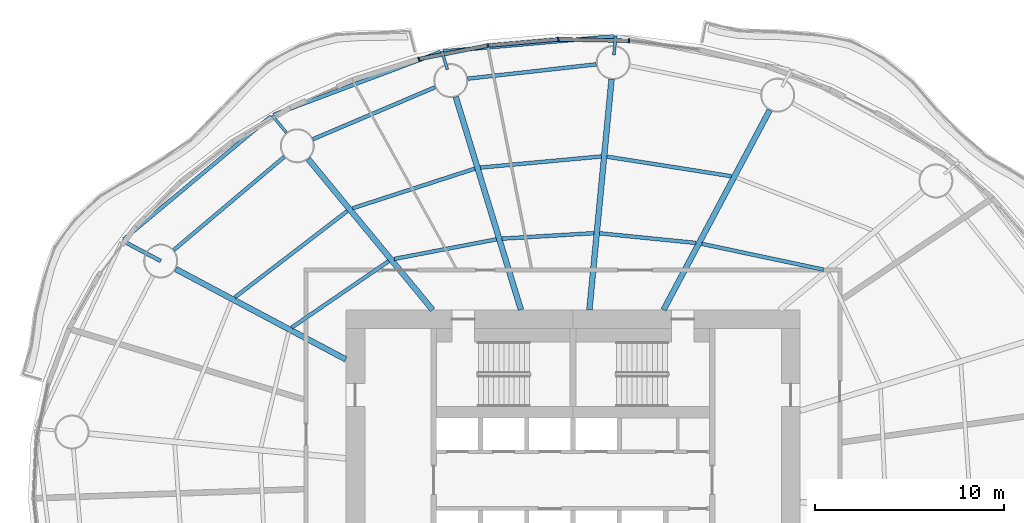
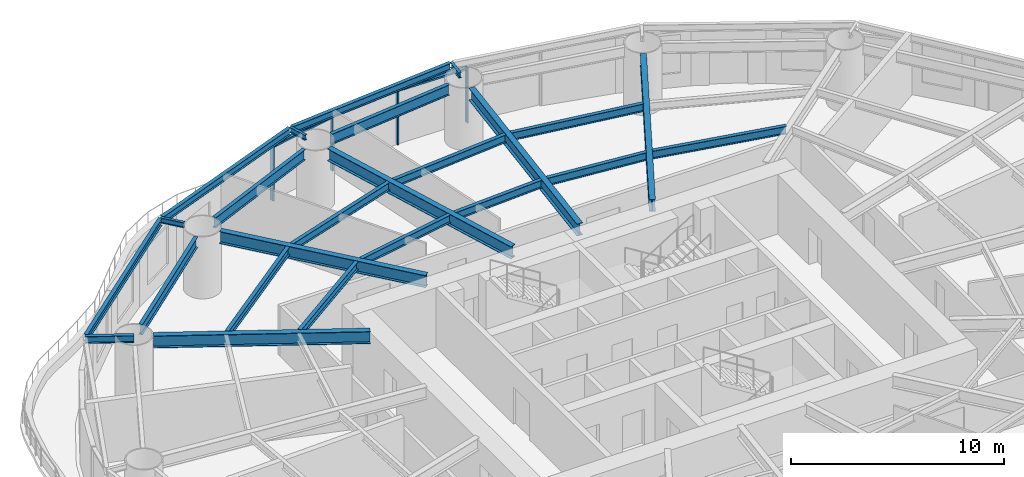
# One storey, part 5 of 16: 24 beams, 7 members, 3 elements without a shape of their own.
"""IFC4 building model written with IfcOpenShell, lengths in metres."""

import ifcopenshell
import ifcopenshell.guid

model = None  # the IFC model being written
_history = None  # IfcOwnerHistory: only IFC2X3 demands one
_inside = {}  # id of a spatial element -> (the spatial element, [elements in it])
_under = {}  # id of a project, library or spatial element -> (it, [spatial elements below it])
_declared = {}  # id of a project -> (the project, [libraries it declares])
_typed = {}  # id of a type object -> (the type object, [elements of that type])
_made_of = {}  # id of a material, layer set ... -> (it, [elements and type objects made of it])


def new_model(schema):
    """Start an empty IFC model of exactly this schema.

    Asked for "IFC4X3", IfcOpenShell would pick the latest addendum, in which some entities
    have other attributes; the version numbers below select the first issue.
    IFC2X3 requires an IfcOwnerHistory on every rooted entity: one is made here for all.
    """
    global model, _history
    if schema == "IFC4X3":
        model = ifcopenshell.file(schema_version=(4, 3, 0, 0))
    else:
        model = ifcopenshell.file(schema=schema)
    _inside.clear()
    _under.clear()
    _declared.clear()
    _typed.clear()
    _made_of.clear()
    _history = None
    if model.schema == "IFC2X3":
        org = make("IfcOrganization", Name="unknown")
        user = make(
            "IfcPersonAndOrganization",
            ThePerson=make("IfcPerson", FamilyName="unknown"),
            TheOrganization=org,
        )
        app = make(
            "IfcApplication",
            ApplicationDeveloper=org,
            Version="unknown",
            ApplicationFullName="unknown",
            ApplicationIdentifier="unknown",
        )
        _history = make(
            "IfcOwnerHistory",
            OwningUser=user,
            OwningApplication=app,
            ChangeAction="ADDED",
            CreationDate=0,
        )
    return model


def make(cls, **values):
    """One entity of the class cls with the attributes given. An attribute that is None is left unset."""
    return model.create_entity(
        cls, **{name: value for name, value in values.items() if value is not None}
    )


def rooted(cls, **values):
    """An entity with a GlobalId (a new one), such as an element, a storey or a relation."""
    return make(cls, GlobalId=ifcopenshell.guid.new(), OwnerHistory=_history, **values)


def si_unit(unit_type, name, prefix=None):
    """IfcSIUnit, for example si_unit("LENGTHUNIT", "METRE", prefix="MILLI")."""
    return make("IfcSIUnit", UnitType=unit_type, Prefix=prefix, Name=name)


def assignment(units):
    """IfcUnitAssignment: the units of a project."""
    return None if units is None else make("IfcUnitAssignment", Units=units)


def point(xyz):
    """IfcCartesianPoint."""
    return None if xyz is None else make("IfcCartesianPoint", Coordinates=xyz)


def direction(xyz):
    """IfcDirection."""
    return None if xyz is None else make("IfcDirection", DirectionRatios=xyz)


def frame(location, z_axis=None, x_axis=None):
    """IfcAxis2Placement3D, a coordinate frame: its origin and axes. An axis left out is left unset."""
    return make(
        "IfcAxis2Placement3D",
        Location=point(location),
        Axis=direction(z_axis),
        RefDirection=direction(x_axis),
    )


def frame_2d(location, x_axis=None):
    """IfcAxis2Placement2D, a coordinate frame in the plane: its origin and x axis."""
    return make(
        "IfcAxis2Placement2D", Location=point(location), RefDirection=direction(x_axis)
    )


def origin():
    """The frame at (0, 0, 0) with its axes left unset."""
    return frame((0.0, 0.0, 0.0))


def origin_2d():
    """The frame at (0, 0) in the plane with its x axis left unset."""
    return frame_2d((0.0, 0.0))


def place(relative_to, where):
    """IfcLocalPlacement: puts the frame where relative to a parent placement (None: the world)."""
    return make(
        "IfcLocalPlacement", PlacementRelTo=relative_to, RelativePlacement=where
    )


def context(
    kind, dimensions, precision=None, world=None, true_north=None, identifier=None
):
    """IfcGeometricRepresentationContext, for example the 3D "Model" context."""
    return make(
        "IfcGeometricRepresentationContext",
        ContextIdentifier=identifier,
        ContextType=kind,
        CoordinateSpaceDimension=dimensions,
        Precision=precision,
        WorldCoordinateSystem=world,
        TrueNorth=true_north,
    )


def subcontext(parent, identifier, kind, view, scale=None):
    """IfcGeometricRepresentationSubContext, for example "Body" below "Model"."""
    return make(
        "IfcGeometricRepresentationSubContext",
        ContextIdentifier=identifier,
        ContextType=kind,
        ParentContext=parent,
        TargetScale=scale,
        TargetView=view,
    )


def project(units=None, contexts=None):
    """IfcProject with its units and contexts."""
    return rooted(
        "IfcProject",
        Name="project",
        RepresentationContexts=contexts,
        UnitsInContext=assignment(units),
    )


def spatial(cls, under=None, at=None, **own):
    """A site, building, storey or space (cls), placed at a placement, below another one or the project."""
    s = rooted(cls, ObjectPlacement=at, **own)
    if under is not None:
        _under.setdefault(under.id(), (under, []))[1].append(s)
    return s


def profile(cls, at=None, kind="AREA", **sizes):
    """A parametric profile (cls). Its sizes go by their IFC names, for example OverallWidth=200.0."""
    return make(cls, ProfileType=kind, Position=at, **sizes)


def rectangle(**sizes):
    """IfcRectangleProfileDef."""
    return profile("IfcRectangleProfileDef", **sizes)


def i_section(**sizes):
    """IfcIShapeProfileDef."""
    return profile("IfcIShapeProfileDef", **sizes)


def extrude(swept, where, along, depth):
    """IfcExtrudedAreaSolid: the profile swept, set in the frame where, extruded along a direction by depth."""
    return make(
        "IfcExtrudedAreaSolid",
        SweptArea=swept,
        Position=where,
        ExtrudedDirection=direction(along),
        Depth=depth,
    )


def shape(context_of_items, identifier, shape_type, items):
    """IfcShapeRepresentation: the items that make up one representation, for example the "Body"."""
    return make(
        "IfcShapeRepresentation",
        ContextOfItems=context_of_items,
        RepresentationIdentifier=identifier,
        RepresentationType=shape_type,
        Items=items,
    )


def material(Name=None, Category=None):
    """IfcMaterial."""
    return make("IfcMaterial", Name=Name, Category=Category)


def material_profile(
    of_material, cross_section, Name=None, Category=None, Priority=None
):
    """IfcMaterialProfile: a cross section and its material."""
    return make(
        "IfcMaterialProfile",
        Name=Name,
        Material=of_material,
        Profile=cross_section,
        Priority=Priority,
        Category=Category,
    )


def profile_set(profiles, Name=None, composite=None):
    """IfcMaterialProfileSet."""
    return make(
        "IfcMaterialProfileSet",
        Name=Name,
        MaterialProfiles=profiles,
        CompositeProfile=composite,
    )


def made_of(thing, what):
    """Note that an element or type object is made of a material, layer set ...; save() writes the relation."""
    if what is not None:
        _made_of.setdefault(what.id(), (what, []))[1].append(thing)
    return thing


def type_object(cls, material=None, **own):
    """A type object (cls), such as IfcWallType, which elements share."""
    return made_of(rooted(cls, **own), material)


def element(
    cls,
    number,
    at=None,
    inside=None,
    cuts=None,
    type_object=None,
    material=None,
    context=None,
    identifier="Body",
    shape_type=None,
    held_by="IfcProductDefinitionShape",
    body=None,
    shapes=None,
    **own,
):
    """One element of the class cls, such as IfcWall. Its Tag is "e" and its number.

    at: its placement. inside: the storey or other place that contains it. cuts: it is an
    opening in that element (IfcRelVoidsElement). A single representation is given by context,
    identifier, shape_type and body (its items); several are given by shapes. held_by: the class
    of the entity that holds the representations. save() writes the other relations.
    """
    e = rooted(cls, Tag="e%d" % number, ObjectPlacement=at, **own)
    if body is not None:
        shapes = [shape(context, identifier, shape_type, body)]
    if shapes is not None:
        e.Representation = make(held_by, Representations=shapes)
    if inside is not None:
        _inside.setdefault(inside.id(), (inside, []))[1].append(e)
    if cuts is not None:
        rooted(
            "IfcRelVoidsElement", RelatingBuildingElement=cuts, RelatedOpeningElement=e
        )
    if type_object is not None:
        _typed.setdefault(type_object.id(), (type_object, []))[1].append(e)
    return made_of(e, material)


def aggregate(whole, parts):
    """IfcRelAggregates: a whole, such as a stair, and the parts it consists of."""
    return rooted("IfcRelAggregates", RelatingObject=whole, RelatedObjects=parts)


def save(model, path):
    """Write the relations noted so far, then the file.

    IfcRelAggregates (storeys below a building ...), IfcRelContainedInSpatialStructure (elements
    in a storey), IfcRelDefinesByType, IfcRelAssociatesMaterial and IfcRelDeclares: one each for
    every whole, place, type object, material and project.
    """
    for whole, parts in _under.values():
        aggregate(whole, parts)
    for where, things in _inside.values():
        rooted(
            "IfcRelContainedInSpatialStructure",
            RelatedElements=things,
            RelatingStructure=where,
        )
    for kind, things in _typed.values():
        rooted("IfcRelDefinesByType", RelatedObjects=things, RelatingType=kind)
    for what, things in _made_of.values():
        rooted("IfcRelAssociatesMaterial", RelatedObjects=things, RelatingMaterial=what)
    for by, libraries in _declared.values():
        rooted("IfcRelDeclares", RelatingContext=by, RelatedDefinitions=libraries)
    model.write(path)


model = new_model("IFC4")

# Units and contexts
model_context = context("Model", 3, precision=1e-05, world=origin(), true_north=direction((0.0, 1.0)))
body_context = subcontext(model_context, "Body", "Model", "MODEL_VIEW")
ifc_project = project(units=[si_unit("LENGTHUNIT", "METRE"), si_unit("AREAUNIT", "SQUARE_METRE"), si_unit("VOLUMEUNIT", "CUBIC_METRE"), si_unit("PLANEANGLEUNIT", "RADIAN"), si_unit("MASSUNIT", "GRAM", prefix="KILO")], contexts=[model_context])

# Site, building, storey
site_placement = place(None, origin())
site = spatial("IfcSite", under=ifc_project, at=site_placement, CompositionType="ELEMENT")
building_placement = place(site_placement, origin())
building = spatial("IfcBuilding", under=site, at=building_placement, Name="Vermilion Reach Broadcast Tower", CompositionType="ELEMENT")
storey_placement = place(building_placement, frame((0.0, 0.0, 43.39990234375)))
storey = spatial("IfcBuildingStorey", under=building, at=storey_placement, Name="L07", CompositionType="ELEMENT", Elevation=43.39990234375)

# Beams
ifc_material_1 = material(Name="Steel S355J2", Category="steel")
ifc_material_profile_1 = material_profile(ifc_material_1, i_section(OverallWidth=0.199951171875, OverallDepth=0.39990234375, WebThickness=0.008056640625, FlangeThickness=0.012939453125, at=origin_2d()), Name="S355J2 HN 400x200x8x13")
ifc_profile_set_1 = profile_set([ifc_material_profile_1], Name="Steel S355J2")
beam_type_1 = type_object("IfcBeamType", Name="EB1 HN 400x200x8x13", PredefinedType="BEAM", material=ifc_profile_set_1)
beam_1_placement = place(storey_placement, frame((-3.82177734375, 23.44775390625, 3.35009765625), z_axis=(-0.996123258069, -0.087968487166, 0.0), x_axis=(0.087968487166, -0.996123258069, 0.0)))
element("IfcBeam", 1, at=beam_1_placement, inside=storey, type_object=beam_type_1, Name="Edge beam EB1-04", PredefinedType="BEAM", context=body_context, shape_type="SweptSolid", body=[
    extrude(i_section(OverallWidth=0.199951171875, OverallDepth=0.39990234375, WebThickness=0.008056640625, FlangeThickness=0.012939453125, at=origin_2d()), origin(), (0.0, 0.0, 1.0), 9.064208984375),
])
beam_2_placement = place(storey_placement, frame((-12.99755859375, 22.6171875, 3.35009765625), z_axis=(-0.935908985591, -0.352241920688, 0.0), x_axis=(0.352241920688, -0.935908985591, 0.0)))
element("IfcBeam", 2, at=beam_2_placement, inside=storey, type_object=beam_type_1, Name="Edge beam EB1-05", PredefinedType="BEAM", context=body_context, shape_type="SweptSolid", body=[
    extrude(i_section(OverallWidth=0.199951171875, OverallDepth=0.39990234375, WebThickness=0.008056640625, FlangeThickness=0.012939453125, at=origin_2d()), origin(), (0.0, 0.0, 1.0), 9.4228515625),
])
beam_3_placement = place(storey_placement, frame((-21.9482421875, 19.221923828125, 3.35009765625), z_axis=(-0.767606961082, -0.640920863523, 0.0), x_axis=(0.640920863523, -0.767606961082, 0.0)))
element("IfcBeam", 3, at=beam_3_placement, inside=storey, type_object=beam_type_1, Name="Edge beam EB1-06", PredefinedType="BEAM", context=body_context, shape_type="SweptSolid", body=[
    extrude(i_section(OverallWidth=0.199951171875, OverallDepth=0.39990234375, WebThickness=0.008056640625, FlangeThickness=0.012939453125, at=origin_2d()), origin(), (0.0, 0.0, 1.0), 10.13671875),
])
ifc_material_2 = material(Name="Steel S355J2", Category="steel")
ifc_material_profile_2 = material_profile(ifc_material_2, i_section(OverallWidth=0.300048828125, OverallDepth=0.699951171875, WebThickness=0.012939453125, FlangeThickness=0.02392578125, at=origin_2d()), Name="S355J2 HN 700x300x13x24")
ifc_profile_set_2 = profile_set([ifc_material_profile_2], Name="Steel S355J2")
beam_type_2 = type_object("IfcBeamType", Name="G1 HN 700x300x13x24", PredefinedType="BEAM", material=ifc_profile_set_2)
beam_4_placement = place(storey_placement, frame((-1.216552734375, 9.0, 3.2001953125), z_axis=(0.469312182262, 0.883032318537, 0.0), x_axis=(-0.883032318537, 0.469312182262, 0.0)))
element("IfcBeam", 4, at=beam_4_placement, inside=storey, type_object=beam_type_2, Name="Girder G1-03", PredefinedType="BEAM", context=body_context, shape_type="SweptSolid", body=[
    extrude(i_section(OverallWidth=0.300048828125, OverallDepth=0.699951171875, WebThickness=0.012939453125, FlangeThickness=0.02392578125, at=origin_2d()), origin(), (0.0, 0.0, 1.0), 11.94091796875),
])
beam_5_placement = place(storey_placement, frame((-5.135009765625, 9.0, 3.2001953125), z_axis=(0.09566673912, 0.995413419151, 0.0), x_axis=(-0.995413419151, 0.09566673912, 0.0)))
element("IfcBeam", 5, at=beam_5_placement, inside=storey, type_object=beam_type_2, Name="Girder G1-04", PredefinedType="BEAM", context=body_context, shape_type="SweptSolid", body=[
    extrude(i_section(OverallWidth=0.300048828125, OverallDepth=0.699951171875, WebThickness=0.012939453125, FlangeThickness=0.02392578125, at=origin_2d()), origin(), (0.0, 0.0, 1.0), 12.22412109375),
])
beam_6_placement = place(storey_placement, frame((-8.753173828125, 9.0, 3.2001953125), z_axis=(-0.292542302886, 0.95625258223, 0.0), x_axis=(-0.95625258223, -0.292542302886, 0.0)))
element("IfcBeam", 6, at=beam_6_placement, inside=storey, type_object=beam_type_2, Name="Girder G1-05", PredefinedType="BEAM", context=body_context, shape_type="SweptSolid", body=[
    extrude(i_section(OverallWidth=0.300048828125, OverallDepth=0.699951171875, WebThickness=0.012939453125, FlangeThickness=0.02392578125, at=origin_2d()), origin(), (0.0, 0.0, 1.0), 11.76220703125),
])
beam_7_placement = place(storey_placement, frame((-13.421630859375, 9.0, 3.2001953125), z_axis=(-0.636215165107, 0.77151167437, 0.0), x_axis=(-0.77151167437, -0.636215165107, 0.0)))
element("IfcBeam", 7, at=beam_7_placement, inside=storey, type_object=beam_type_2, Name="Girder G1-06", PredefinedType="BEAM", context=body_context, shape_type="SweptSolid", body=[
    extrude(i_section(OverallWidth=0.300048828125, OverallDepth=0.699951171875, WebThickness=0.012939453125, FlangeThickness=0.02392578125, at=origin_2d()), origin(), (0.0, 0.0, 1.0), 10.3251953125),
])
beam_8_placement = place(storey_placement, frame((-18.0, 6.3779296875, 3.2001953125), z_axis=(-0.883032139419, 0.469312519279, 0.0), x_axis=(-0.469312519279, -0.883032139419, 0.0)))
element("IfcBeam", 8, at=beam_8_placement, inside=storey, type_object=beam_type_2, Name="Girder G1-07", PredefinedType="BEAM", context=body_context, shape_type="SweptSolid", body=[
    extrude(i_section(OverallWidth=0.300048828125, OverallDepth=0.699951171875, WebThickness=0.012939453125, FlangeThickness=0.02392578125, at=origin_2d()), origin(), (0.0, 0.0, 1.0), 10.17529296875),
])
ifc_material_3 = material(Name="Steel S355J2", Category="steel")
ifc_material_profile_3 = material_profile(ifc_material_3, i_section(OverallWidth=0.199951171875, OverallDepth=0.39990234375, WebThickness=0.008056640625, FlangeThickness=0.012939453125, at=origin_2d()), Name="S355J2 HN 400x200x8x13")
ifc_profile_set_3 = profile_set([ifc_material_profile_3], Name="Steel S355J2")
beam_type_3 = type_object("IfcBeamType", Name="GC1 HN 400x200x8x13", PredefinedType="BEAM", material=ifc_profile_set_3)
beam_9_placement = place(storey_placement, frame((-27.77978515625, 11.57568359375, 3.35009765625), z_axis=(-0.88305665742, 0.469266384676, 0.0), x_axis=(-0.469266384676, -0.88305665742, 0.0)))
element("IfcBeam", 9, at=beam_9_placement, inside=storey, type_object=beam_type_3, Name="Cantilever girder GC1-07", PredefinedType="BEAM", context=body_context, shape_type="SweptSolid", body=[
    extrude(i_section(OverallWidth=0.199951171875, OverallDepth=0.39990234375, WebThickness=0.008056640625, FlangeThickness=0.012939453125, at=origin_2d()), origin(), (0.0, 0.0, 1.0), 2.301513671875),
])
ifc_material_4 = material(Name="Steel S355J2", Category="steel")
ifc_material_profile_4 = material_profile(ifc_material_4, i_section(OverallWidth=0.14990234375, OverallDepth=0.300048828125, WebThickness=0.006591796875, FlangeThickness=0.009033203125, at=origin_2d()), Name="S355J2 HN 300x150x6.5x9")
ifc_profile_set_4 = profile_set([ifc_material_profile_4], Name="Steel S355J2")
beam_type_4 = type_object("IfcBeamType", Name="GS1 HN 300x150x6.5x9", PredefinedType="BEAM", material=ifc_profile_set_4)
beam_10_placement = place(storey_placement, frame((-3.84130859375, 22.458984375, 3.400146484375), z_axis=(0.095707754417, 0.995409476419, 0.0), x_axis=(-0.995409476419, 0.095707754417, 0.0)))
element("IfcBeam", 10, at=beam_10_placement, inside=storey, type_object=beam_type_4, Name="Cantilever stub GS1-04", PredefinedType="BEAM", context=body_context, shape_type="SweptSolid", body=[
    extrude(i_section(OverallWidth=0.14990234375, OverallDepth=0.300048828125, WebThickness=0.006591796875, FlangeThickness=0.009033203125, at=origin_2d()), origin(), (0.0, 0.0, 1.0), 1.0),
])
beam_11_placement = place(storey_placement, frame((-12.634521484375, 21.6875, 3.400146484375), z_axis=(-0.29276438962, 0.956184611971, 0.0), x_axis=(-0.956184611971, -0.29276438962, 0.0)))
element("IfcBeam", 11, at=beam_11_placement, inside=storey, type_object=beam_type_4, Name="Cantilever stub GS1-05", PredefinedType="BEAM", context=body_context, shape_type="SweptSolid", body=[
    extrude(i_section(OverallWidth=0.14990234375, OverallDepth=0.300048828125, WebThickness=0.006591796875, FlangeThickness=0.009033203125, at=origin_2d()), origin(), (0.0, 0.0, 1.0), 0.999755859375),
])
beam_12_placement = place(storey_placement, frame((-21.1357421875, 18.354736328125, 3.400146484375), z_axis=(-0.636269688952, 0.771466708887, 0.0), x_axis=(-0.771466708887, -0.636269688952, 0.0)))
element("IfcBeam", 12, at=beam_12_placement, inside=storey, type_object=beam_type_4, Name="Cantilever stub GS1-06", PredefinedType="BEAM", context=body_context, shape_type="SweptSolid", body=[
    extrude(i_section(OverallWidth=0.14990234375, OverallDepth=0.300048828125, WebThickness=0.006591796875, FlangeThickness=0.009033203125, at=origin_2d()), origin(), (0.0, 0.0, 1.0), 1.1865234375),
])
ifc_material_5 = material(Name="Steel S355J2", Category="steel")
ifc_material_profile_5 = material_profile(ifc_material_5, i_section(OverallWidth=0.199951171875, OverallDepth=0.60009765625, WebThickness=0.010986328125, FlangeThickness=0.01708984375, at=origin_2d()), Name="S355J2 HN 600x200x11x17")
ifc_profile_set_5 = profile_set([ifc_material_profile_5], Name="Steel S355J2")
beam_type_5 = type_object("IfcBeamType", Name="RB1 HN 600x200x11x17", PredefinedType="BEAM", material=ifc_profile_set_5)
beam_13_placement = place(storey_placement, frame((-4.77392578125, 21.964111328125, 3.25), z_axis=(-0.993851439324, -0.110721798009, 0.0), x_axis=(0.110721798009, -0.993851439324, 0.0)))
element("IfcBeam", 13, at=beam_13_placement, inside=storey, type_object=beam_type_5, Name="Ring beam RB1-04", PredefinedType="BEAM", context=body_context, shape_type="SweptSolid", body=[
    extrude(i_section(OverallWidth=0.199951171875, OverallDepth=0.60009765625, WebThickness=0.010986328125, FlangeThickness=0.01708984375, at=origin_2d()), origin(), (0.0, 0.0, 1.0), 6.8310546875),
])
beam_14_placement = place(storey_placement, frame((-13.28564453125, 20.755859375, 3.25), z_axis=(-0.920220846584, -0.391399531825, 0.0), x_axis=(0.391399531825, -0.920220846584, 0.0)))
element("IfcBeam", 14, at=beam_14_placement, inside=storey, type_object=beam_type_5, Name="Ring beam RB1-05", PredefinedType="BEAM", context=body_context, shape_type="SweptSolid", body=[
    extrude(i_section(OverallWidth=0.199951171875, OverallDepth=0.60009765625, WebThickness=0.010986328125, FlangeThickness=0.01708984375, at=origin_2d()), origin(), (0.0, 0.0, 1.0), 7.008544921875),
])
beam_15_placement = place(storey_placement, frame((-21.251220703125, 17.080322265625, 3.25), z_axis=(-0.764512441084, -0.6446089725, 0.0), x_axis=(0.6446089725, -0.764512441084, 0.0)))
element("IfcBeam", 15, at=beam_15_placement, inside=storey, type_object=beam_type_5, Name="Ring beam RB1-06", PredefinedType="BEAM", context=body_context, shape_type="SweptSolid", body=[
    extrude(i_section(OverallWidth=0.199951171875, OverallDepth=0.60009765625, WebThickness=0.010986328125, FlangeThickness=0.01708984375, at=origin_2d()), origin(), (0.0, 0.0, 1.0), 7.6396484375),
])
ifc_material_6 = material(Name="Steel S355J2", Category="steel")
ifc_material_profile_6 = material_profile(ifc_material_6, i_section(OverallWidth=0.199951171875, OverallDepth=0.449951171875, WebThickness=0.009033203125, FlangeThickness=0.013916015625, at=origin_2d()), Name="S355J2 HN 450x200x9x14")
ifc_profile_set_6 = profile_set([ifc_material_profile_6], Name="Steel S355J2")
beam_type_6 = type_object("IfcBeamType", Name="SB1 HN 450x200x9x14", PredefinedType="BEAM", material=ifc_profile_set_6)
beam_16_placement = place(storey_placement, frame((7.24560546875, 11.1171875, 3.3251953125), z_axis=(-0.978270372412, 0.207333254596, 0.0), x_axis=(-0.207333254596, -0.978270372412, 0.0)))
element("IfcBeam", 16, at=beam_16_placement, inside=storey, type_object=beam_type_6, Name="Secondary beam SB1-02-1", PredefinedType="BEAM", context=body_context, shape_type="SweptSolid", body=[
    extrude(i_section(OverallWidth=0.199951171875, OverallDepth=0.449951171875, WebThickness=0.009033203125, FlangeThickness=0.013916015625, at=origin_2d()), origin(), (0.0, 0.0, 1.0), 6.584716796875),
])
beam_17_placement = place(storey_placement, frame((0.490234375, 12.531005859375, 3.3251953125), z_axis=(-0.995010199331, 0.099773259079, 0.0), x_axis=(-0.099773259079, -0.995010199331, 0.0)))
element("IfcBeam", 17, at=beam_17_placement, inside=storey, type_object=beam_type_6, Name="Secondary beam SB1-03-1", PredefinedType="BEAM", context=body_context, shape_type="SweptSolid", body=[
    extrude(i_section(OverallWidth=0.199951171875, OverallDepth=0.449951171875, WebThickness=0.009033203125, FlangeThickness=0.013916015625, at=origin_2d()), origin(), (0.0, 0.0, 1.0), 5.111572265625),
])
beam_18_placement = place(storey_placement, frame((2.36279296875, 16.05419921875, 3.3251953125), z_axis=(-0.987829548379, 0.155540294938, 0.0), x_axis=(-0.155540294938, -0.987829548379, 0.0)))
element("IfcBeam", 18, at=beam_18_placement, inside=storey, type_object=beam_type_6, Name="Secondary beam SB1-03-2", PredefinedType="BEAM", context=body_context, shape_type="SweptSolid", body=[
    extrude(i_section(OverallWidth=0.199951171875, OverallDepth=0.449951171875, WebThickness=0.009033203125, FlangeThickness=0.013916015625, at=origin_2d()), origin(), (0.0, 0.0, 1.0), 6.650634765625),
])
beam_19_placement = place(storey_placement, frame((-4.896728515625, 13.046875, 3.3251953125), z_axis=(-0.99823410974, -0.059402543307, 0.0), x_axis=(0.059402543307, -0.99823410974, 0.0)))
element("IfcBeam", 19, at=beam_19_placement, inside=storey, type_object=beam_type_6, Name="Secondary beam SB1-04-1", PredefinedType="BEAM", context=body_context, shape_type="SweptSolid", body=[
    extrude(i_section(OverallWidth=0.199951171875, OverallDepth=0.449951171875, WebThickness=0.009033203125, FlangeThickness=0.013916015625, at=origin_2d()), origin(), (0.0, 0.0, 1.0), 4.85791015625),
])
beam_20_placement = place(storey_placement, frame((-4.50732421875, 17.09814453125, 3.3251953125), z_axis=(-0.995818616382, -0.091352521952, 0.0), x_axis=(0.091352521952, -0.995818616382, 0.0)))
element("IfcBeam", 20, at=beam_20_placement, inside=storey, type_object=beam_type_6, Name="Secondary beam SB1-04-2", PredefinedType="BEAM", context=body_context, shape_type="SweptSolid", body=[
    extrude(i_section(OverallWidth=0.199951171875, OverallDepth=0.449951171875, WebThickness=0.009033203125, FlangeThickness=0.013916015625, at=origin_2d()), origin(), (0.0, 0.0, 1.0), 6.4140625),
])
beam_21_placement = place(storey_placement, frame((-10.04833984375, 12.720703125, 3.3251953125), z_axis=(-0.982151348822, -0.188092339045, 0.0), x_axis=(0.188092339045, -0.982151348822, 0.0)))
element("IfcBeam", 21, at=beam_21_placement, inside=storey, type_object=beam_type_6, Name="Secondary beam SB1-05-1", PredefinedType="BEAM", context=body_context, shape_type="SweptSolid", body=[
    extrude(i_section(OverallWidth=0.199951171875, OverallDepth=0.449951171875, WebThickness=0.009033203125, FlangeThickness=0.013916015625, at=origin_2d()), origin(), (0.0, 0.0, 1.0), 5.4931640625),
])
beam_22_placement = place(storey_placement, frame((-11.18994140625, 16.4521484375, 3.3251953125), z_axis=(-0.951332300844, -0.308166924523, 0.0), x_axis=(0.308166924523, -0.951332300844, 0.0)))
element("IfcBeam", 22, at=beam_22_placement, inside=storey, type_object=beam_type_6, Name="Secondary beam SB1-05-2", PredefinedType="BEAM", context=body_context, shape_type="SweptSolid", body=[
    extrude(i_section(OverallWidth=0.199951171875, OverallDepth=0.449951171875, WebThickness=0.009033203125, FlangeThickness=0.013916015625, at=origin_2d()), origin(), (0.0, 0.0, 1.0), 6.787841796875),
])
beam_23_placement = place(storey_placement, frame((-15.735595703125, 11.5703125, 3.3251953125), z_axis=(-0.825140253447, -0.564927926502, 0.0), x_axis=(0.564927926502, -0.825140253447, 0.0)))
element("IfcBeam", 23, at=beam_23_placement, inside=storey, type_object=beam_type_6, Name="Secondary beam SB1-06-1", PredefinedType="BEAM", context=body_context, shape_type="SweptSolid", body=[
    extrude(i_section(OverallWidth=0.199951171875, OverallDepth=0.449951171875, WebThickness=0.009033203125, FlangeThickness=0.013916015625, at=origin_2d()), origin(), (0.0, 0.0, 1.0), 6.20458984375),
])
beam_24_placement = place(storey_placement, frame((-17.920166015625, 14.21923828125, 3.3251953125), z_axis=(-0.793349617473, -0.60876628065, 0.0), x_axis=(0.60876628065, -0.793349617473, 0.0)))
element("IfcBeam", 24, at=beam_24_placement, inside=storey, type_object=beam_type_6, Name="Secondary beam SB1-06-2", PredefinedType="BEAM", context=body_context, shape_type="SweptSolid", body=[
    extrude(i_section(OverallWidth=0.199951171875, OverallDepth=0.449951171875, WebThickness=0.009033203125, FlangeThickness=0.013916015625, at=origin_2d()), origin(), (0.0, 0.0, 1.0), 7.486328125),
])

# Curtain wall, member
ifc_material_7 = material(Name="Low-e laminated clear glass in aluminium frame", Category="aluminium")
curtain_wall_type = type_object("IfcCurtainWallType", Name="Slot curtain wall", PredefinedType="NOTDEFINED", material=ifc_material_7)
placement = place(storey_placement, origin())
curtain_wall_1 = element("IfcCurtainWall", 25, at=placement, inside=storey, type_object=curtain_wall_type, Name="Slot curtain wall L07 11", PredefinedType="NOTDEFINED")
ifc_material_8 = material(Name="Anodised aluminium", Category="aluminium")
ifc_material_profile_7 = material_profile(ifc_material_8, rectangle(XDim=0.199951171875, YDim=0.080078125, at=origin_2d()), Name="Slot mullion 80 x 200")
ifc_profile_set_7 = profile_set([ifc_material_profile_7], Name="Anodised aluminium")
member_type_1 = type_object("IfcMemberType", Name="Slot mullion 80 x 200", PredefinedType="MULLION", material=ifc_profile_set_7)
member_1_placement = place(storey_placement, frame((-3.04931640625, 23.2099609375, 0.0), z_axis=(0.0, 0.0, 1.0), x_axis=(-0.074037716233, -0.997255441988, 0.0)))
member_1 = element("IfcMember", 26, at=member_1_placement, type_object=member_type_1, Name="Slot mullion L07 11", PredefinedType="MULLION", context=body_context, shape_type="SweptSolid", body=[
    extrude(rectangle(XDim=0.199951171875, YDim=0.080078125, at=origin_2d()), origin(), (0.0, 0.0, 1.0), 3.150146484375),
])

curtain_wall_2 = element("IfcCurtainWall", 27, at=placement, inside=storey, type_object=curtain_wall_type, Name="Slot curtain wall L07 12", PredefinedType="NOTDEFINED")
member_2_placement = place(storey_placement, frame((-6.780517578125, 23.284912109375, 0.0), z_axis=(0.0, 0.0, 1.0), x_axis=(0.033503993086, -0.999438583629, 0.0)))
member_2 = element("IfcMember", 28, at=member_2_placement, type_object=member_type_1, Name="Slot mullion L07 12", PredefinedType="MULLION", context=body_context, shape_type="SweptSolid", body=[
    extrude(rectangle(XDim=0.199951171875, YDim=0.080078125, at=origin_2d()), origin(), (0.0, 0.0, 1.0), 3.150146484375),
])

# Curtain wall, members
curtain_wall_3 = element("IfcCurtainWall", 29, at=placement, inside=storey, type_object=curtain_wall_type, Name="Slot curtain wall L07 13", PredefinedType="NOTDEFINED")
member_3_placement = place(storey_placement, frame((-10.49853515625, 22.960205078125, 0.0), z_axis=(0.0, 0.0, 1.0), x_axis=(0.140658237657, -0.9900582105, 0.0)))
member_3 = element("IfcMember", 30, at=member_3_placement, type_object=member_type_1, Name="Slot mullion L07 13", PredefinedType="MULLION", context=body_context, shape_type="SweptSolid", body=[
    extrude(rectangle(XDim=0.199951171875, YDim=0.080078125, at=origin_2d()), origin(), (0.0, 0.0, 1.0), 3.150146484375),
])
member_4_placement = place(storey_placement, frame((-14.138671875, 22.24072265625, 0.0), z_axis=(0.0, 0.0, 1.0), x_axis=(0.247354182936, -0.968925130329, 0.0)))
member_4 = element("IfcMember", 31, at=member_4_placement, type_object=member_type_1, Name="Slot mullion L07 14", PredefinedType="MULLION", context=body_context, shape_type="SweptSolid", body=[
    extrude(rectangle(XDim=0.199951171875, YDim=0.080078125, at=origin_2d()), origin(), (0.0, 0.0, 1.0), 3.150146484375),
])

# Member
ifc_material_9 = material(Name="Anodised aluminium", Category="aluminium")
ifc_material_profile_8 = material_profile(ifc_material_9, rectangle(XDim=0.199951171875, YDim=0.10009765625, at=origin_2d()), Name="Slot transom 200 x 100")
ifc_profile_set_8 = profile_set([ifc_material_profile_8], Name="Anodised aluminium")
member_type_2 = type_object("IfcMemberType", Name="Slot transom 200 x 100", PredefinedType="USERDEFINED", material=ifc_profile_set_8)
member_5_placement = place(storey_placement, frame((-3.08935546875, 23.210693359375, 3.10009765625), z_axis=(-0.999797512492, 0.020122972334, 0.0), x_axis=(-0.020122972334, -0.999797512492, 0.0)))
member_5 = element("IfcMember", 32, at=member_5_placement, type_object=member_type_2, Name="Slot transom L07 11.1", ObjectType="TRANSOM", PredefinedType="USERDEFINED", context=body_context, shape_type="SweptSolid", body=[
    extrude(rectangle(XDim=0.199951171875, YDim=0.10009765625, at=origin_2d()), origin(), (0.0, 0.0, 1.0), 3.65185546875),
])

aggregate(curtain_wall_1, [member_1, member_5])

member_6_placement = place(storey_placement, frame((-6.8203125, 23.281494140625, 3.10009765625), z_axis=(-0.996204883872, -0.08703924029, 0.0), x_axis=(0.08703924029, -0.996204883872, 0.0)))
member_6 = element("IfcMember", 33, at=member_6_placement, type_object=member_type_2, Name="Slot transom L07 12.1", ObjectType="TRANSOM", PredefinedType="USERDEFINED", context=body_context, shape_type="SweptSolid", body=[
    extrude(rectangle(XDim=0.199951171875, YDim=0.10009765625, at=origin_2d()), origin(), (0.0, 0.0, 1.0), 3.652099609375),
])

aggregate(curtain_wall_2, [member_2, member_6])

member_7_placement = place(storey_placement, frame((-10.53759765625, 22.952392578125, 3.10009765625), z_axis=(-0.981030641145, -0.193852730529, 0.0), x_axis=(0.193852730529, -0.981030641145, 0.0)))
member_7 = element("IfcMember", 34, at=member_7_placement, type_object=member_type_2, Name="Slot transom L07 13.1", ObjectType="TRANSOM", PredefinedType="USERDEFINED", context=body_context, shape_type="SweptSolid", body=[
    extrude(rectangle(XDim=0.199951171875, YDim=0.10009765625, at=origin_2d()), origin(), (0.0, 0.0, 1.0), 3.630859375),
])

aggregate(curtain_wall_3, [member_3, member_4, member_7])

save(model, "model.ifc")
